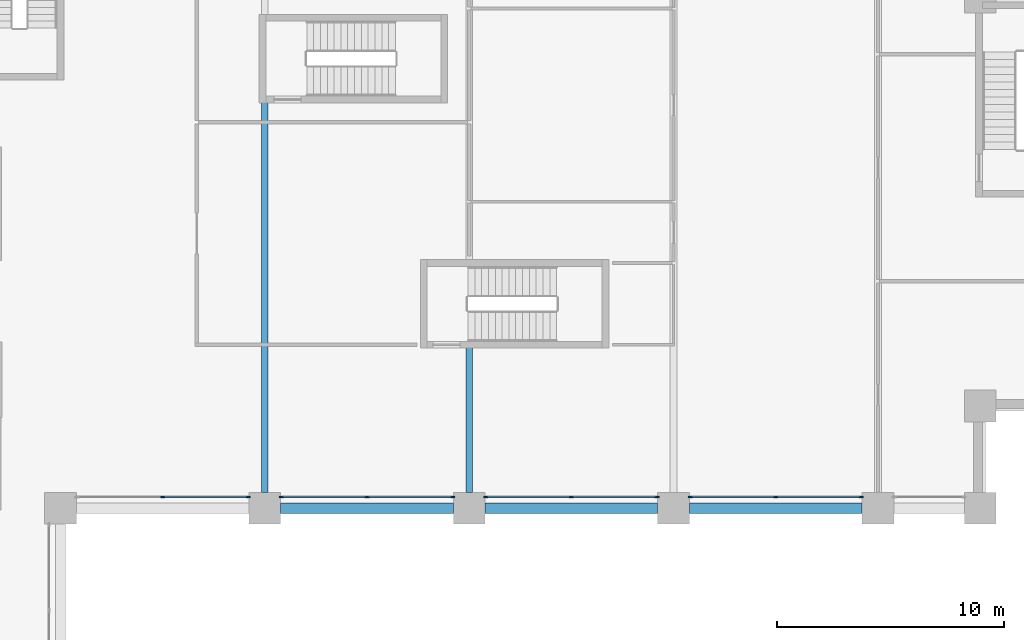
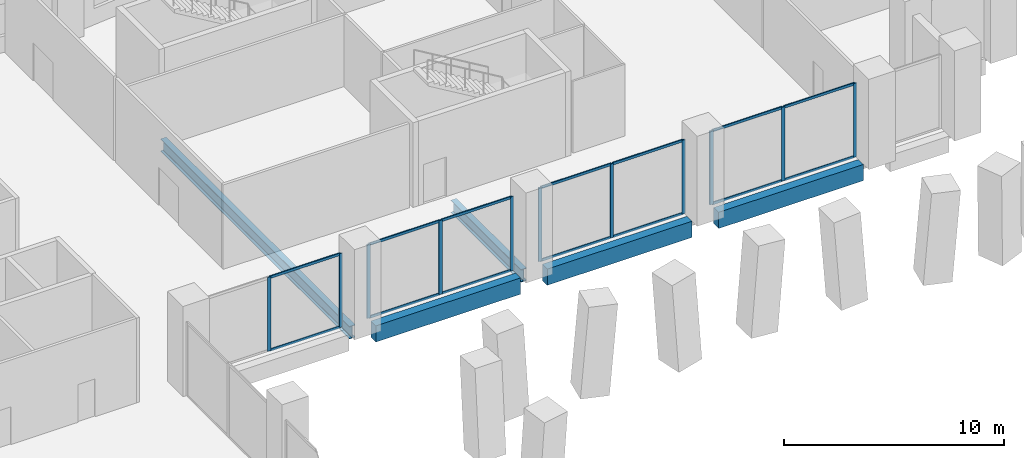
# One storey, part 6 of 17: 25 members, 5 beams, 4 elements without a shape of their own.
"""IFC4 building model written with IfcOpenShell, lengths in metres."""

from ifc_helpers import new_model, si_unit, direction, frame, origin, origin_2d, place, context, subcontext, project, spatial, rectangle, i_section, extrude, material, material_profile, profile_set, type_object, element, aggregate, save


model = new_model("IFC4")

# Units and contexts
model_context = context("Model", 3, precision=1e-05, world=origin(), true_north=direction((0.0, 1.0)))
body_context = subcontext(model_context, "Body", "Model", "MODEL_VIEW")
ifc_project = project(units=[si_unit("LENGTHUNIT", "METRE"), si_unit("AREAUNIT", "SQUARE_METRE"), si_unit("VOLUMEUNIT", "CUBIC_METRE"), si_unit("PLANEANGLEUNIT", "RADIAN"), si_unit("MASSUNIT", "GRAM", prefix="KILO")], contexts=[model_context])

# Site, building, storey
site_placement = place(None, origin())
site = spatial("IfcSite", under=ifc_project, at=site_placement, CompositionType="ELEMENT")
building_placement = place(site_placement, origin())
building = spatial("IfcBuilding", under=site, at=building_placement, Name="Brondeck Convention Tower", CompositionType="ELEMENT")
storey_placement = place(building_placement, frame((0.0, 0.0, 14.5)))
storey = spatial("IfcBuildingStorey", under=building, at=storey_placement, Name="L02", CompositionType="ELEMENT", Elevation=14.5)

# Curtain wall, members
ifc_material_1 = material(Name="Aluminium, bronze anodised", Category="aluminium")
curtain_wall_type = type_object("IfcCurtainWallType", Name="Podium hall curtain wall", PredefinedType="NOTDEFINED", material=ifc_material_1)
curtain_wall_1_placement = place(storey_placement, origin())
curtain_wall_1 = element("IfcCurtainWall", 1, at=curtain_wall_1_placement, inside=storey, type_object=curtain_wall_type, Name="ENV-CW2-L02-A-S-01", PredefinedType="NOTDEFINED")
ifc_material_profile_1 = material_profile(ifc_material_1, rectangle(XDim=0.06005859375, YDim=0.179931640625, at=origin_2d()), Name="CW2 mullion")
ifc_profile_set_1 = profile_set([ifc_material_profile_1], Name="Aluminium, bronze anodised")
member_type_1 = type_object("IfcMemberType", Name="CW2 mullion", PredefinedType="MULLION", material=ifc_profile_set_1)
member_1_placement = place(storey_placement, frame((35.27001953125, 36.5, 0.0), z_axis=(0.0, 0.0, 1.0), x_axis=(0.0, -1.0, 0.0)))
member_1 = element("IfcMember", 2, at=member_1_placement, type_object=member_type_1, Name="CW2 mullion 1", PredefinedType="MULLION", context=body_context, shape_type="SweptSolid", body=[
    extrude(rectangle(XDim=0.06005859375, YDim=0.179931640625, at=origin_2d()), origin(), (0.0, 0.0, 1.0), 4.10009765625),
])
member_2_placement = place(storey_placement, frame((31.5, 36.5, 0.0), z_axis=(0.0, 0.0, 1.0), x_axis=(0.0, -1.0, 0.0)))
member_2 = element("IfcMember", 3, at=member_2_placement, type_object=member_type_1, Name="CW2 mullion 2", PredefinedType="MULLION", context=body_context, shape_type="SweptSolid", body=[
    extrude(rectangle(XDim=0.06005859375, YDim=0.179931640625, at=origin_2d()), origin(), (0.0, 0.0, 1.0), 4.10009765625),
])

curtain_wall_2_placement = place(storey_placement, origin())
curtain_wall_2 = element("IfcCurtainWall", 4, at=curtain_wall_2_placement, inside=storey, type_object=curtain_wall_type, Name="ENV-CW2-L02-A-S-03", PredefinedType="NOTDEFINED")
member_3_placement = place(storey_placement, frame((44.27001953125, 36.5, 0.0), z_axis=(0.0, 0.0, 1.0), x_axis=(0.0, -1.0, 0.0)))
member_3 = element("IfcMember", 5, at=member_3_placement, type_object=member_type_1, Name="CW2 mullion 1", PredefinedType="MULLION", context=body_context, shape_type="SweptSolid", body=[
    extrude(rectangle(XDim=0.06005859375, YDim=0.179931640625, at=origin_2d()), origin(), (0.0, 0.0, 1.0), 4.10009765625),
])
member_4_placement = place(storey_placement, frame((40.5, 36.5, 0.0), z_axis=(0.0, 0.0, 1.0), x_axis=(0.0, -1.0, 0.0)))
member_4 = element("IfcMember", 6, at=member_4_placement, type_object=member_type_1, Name="CW2 mullion 2", PredefinedType="MULLION", context=body_context, shape_type="SweptSolid", body=[
    extrude(rectangle(XDim=0.06005859375, YDim=0.179931640625, at=origin_2d()), origin(), (0.0, 0.0, 1.0), 4.10009765625),
])
member_5_placement = place(storey_placement, frame((36.72998046875, 36.5, 0.0), z_axis=(0.0, 0.0, 1.0), x_axis=(0.0, -1.0, 0.0)))
member_5 = element("IfcMember", 7, at=member_5_placement, type_object=member_type_1, Name="CW2 mullion 3", PredefinedType="MULLION", context=body_context, shape_type="SweptSolid", body=[
    extrude(rectangle(XDim=0.06005859375, YDim=0.179931640625, at=origin_2d()), origin(), (0.0, 0.0, 1.0), 4.10009765625),
])

curtain_wall_3_placement = place(storey_placement, origin())
curtain_wall_3 = element("IfcCurtainWall", 8, at=curtain_wall_3_placement, inside=storey, type_object=curtain_wall_type, Name="ENV-CW2-L02-A-S-05", PredefinedType="NOTDEFINED")
member_6_placement = place(storey_placement, frame((53.27001953125, 36.5, 0.0), z_axis=(0.0, 0.0, 1.0), x_axis=(0.0, -1.0, 0.0)))
member_6 = element("IfcMember", 9, at=member_6_placement, type_object=member_type_1, Name="CW2 mullion 1", PredefinedType="MULLION", context=body_context, shape_type="SweptSolid", body=[
    extrude(rectangle(XDim=0.06005859375, YDim=0.179931640625, at=origin_2d()), origin(), (0.0, 0.0, 1.0), 4.10009765625),
])
member_7_placement = place(storey_placement, frame((49.5, 36.5, 0.0), z_axis=(0.0, 0.0, 1.0), x_axis=(0.0, -1.0, 0.0)))
member_7 = element("IfcMember", 10, at=member_7_placement, type_object=member_type_1, Name="CW2 mullion 2", PredefinedType="MULLION", context=body_context, shape_type="SweptSolid", body=[
    extrude(rectangle(XDim=0.06005859375, YDim=0.179931640625, at=origin_2d()), origin(), (0.0, 0.0, 1.0), 4.10009765625),
])
member_8_placement = place(storey_placement, frame((45.72998046875, 36.5, 0.0), z_axis=(0.0, 0.0, 1.0), x_axis=(0.0, -1.0, 0.0)))
member_8 = element("IfcMember", 11, at=member_8_placement, type_object=member_type_1, Name="CW2 mullion 3", PredefinedType="MULLION", context=body_context, shape_type="SweptSolid", body=[
    extrude(rectangle(XDim=0.06005859375, YDim=0.179931640625, at=origin_2d()), origin(), (0.0, 0.0, 1.0), 4.10009765625),
])

curtain_wall_4_placement = place(storey_placement, origin())
curtain_wall_4 = element("IfcCurtainWall", 12, at=curtain_wall_4_placement, inside=storey, type_object=curtain_wall_type, Name="ENV-CW2-L02-A-S-07", PredefinedType="NOTDEFINED")
member_9_placement = place(storey_placement, frame((62.27001953125, 36.5, 0.0), z_axis=(0.0, 0.0, 1.0), x_axis=(0.0, -1.0, 0.0)))
member_9 = element("IfcMember", 13, at=member_9_placement, type_object=member_type_1, Name="CW2 mullion 1", PredefinedType="MULLION", context=body_context, shape_type="SweptSolid", body=[
    extrude(rectangle(XDim=0.06005859375, YDim=0.179931640625, at=origin_2d()), origin(), (0.0, 0.0, 1.0), 4.10009765625),
])
member_10_placement = place(storey_placement, frame((58.5, 36.5, 0.0), z_axis=(0.0, 0.0, 1.0), x_axis=(0.0, -1.0, 0.0)))
member_10 = element("IfcMember", 14, at=member_10_placement, type_object=member_type_1, Name="CW2 mullion 2", PredefinedType="MULLION", context=body_context, shape_type="SweptSolid", body=[
    extrude(rectangle(XDim=0.06005859375, YDim=0.179931640625, at=origin_2d()), origin(), (0.0, 0.0, 1.0), 4.10009765625),
])
member_11_placement = place(storey_placement, frame((54.72998046875, 36.5, 0.0), z_axis=(0.0, 0.0, 1.0), x_axis=(0.0, -1.0, 0.0)))
member_11 = element("IfcMember", 15, at=member_11_placement, type_object=member_type_1, Name="CW2 mullion 3", PredefinedType="MULLION", context=body_context, shape_type="SweptSolid", body=[
    extrude(rectangle(XDim=0.06005859375, YDim=0.179931640625, at=origin_2d()), origin(), (0.0, 0.0, 1.0), 4.10009765625),
])

# Member
ifc_material_profile_2 = material_profile(ifc_material_1, rectangle(XDim=0.06005859375, YDim=0.139892578125, at=origin_2d()), Name="CW2 transom")
ifc_profile_set_2 = profile_set([ifc_material_profile_2], Name="Aluminium, bronze anodised")
member_type_2 = type_object("IfcMemberType", Name="CW2 transom", PredefinedType="USERDEFINED", material=ifc_profile_set_2)
member_12_placement = place(storey_placement, frame((35.239990234375, 36.5, 0.030029296875), z_axis=(-1.0, 0.0, 0.0), x_axis=(0.0, -1.0, 0.0)))
member_12 = element("IfcMember", 16, at=member_12_placement, type_object=member_type_2, Name="CW2 transom 1.1", ObjectType="TRANSOM", PredefinedType="USERDEFINED", context=body_context, shape_type="SweptSolid", body=[
    extrude(rectangle(XDim=0.06005859375, YDim=0.139892578125, at=origin_2d()), origin(), (0.0, 0.0, 1.0), 3.7099609375),
])

member_13_placement = place(storey_placement, frame((35.239990234375, 36.5, 4.070068359375), z_axis=(-1.0, 0.0, 0.0), x_axis=(0.0, -1.0, 0.0)))
member_13 = element("IfcMember", 17, at=member_13_placement, type_object=member_type_2, Name="CW2 transom 1.2", ObjectType="TRANSOM", PredefinedType="USERDEFINED", context=body_context, shape_type="SweptSolid", body=[
    extrude(rectangle(XDim=0.06005859375, YDim=0.139892578125, at=origin_2d()), origin(), (0.0, 0.0, 1.0), 3.7099609375),
])

aggregate(curtain_wall_1, [member_1, member_2, member_12, member_13])

member_14_placement = place(storey_placement, frame((44.239990234375, 36.5, 0.030029296875), z_axis=(-1.0, 0.0, 0.0), x_axis=(0.0, -1.0, 0.0)))
member_14 = element("IfcMember", 18, at=member_14_placement, type_object=member_type_2, Name="CW2 transom 1.1", ObjectType="TRANSOM", PredefinedType="USERDEFINED", context=body_context, shape_type="SweptSolid", body=[
    extrude(rectangle(XDim=0.06005859375, YDim=0.139892578125, at=origin_2d()), origin(), (0.0, 0.0, 1.0), 3.7099609375),
])

member_15_placement = place(storey_placement, frame((44.239990234375, 36.5, 4.070068359375), z_axis=(-1.0, 0.0, 0.0), x_axis=(0.0, -1.0, 0.0)))
member_15 = element("IfcMember", 19, at=member_15_placement, type_object=member_type_2, Name="CW2 transom 1.2", ObjectType="TRANSOM", PredefinedType="USERDEFINED", context=body_context, shape_type="SweptSolid", body=[
    extrude(rectangle(XDim=0.06005859375, YDim=0.139892578125, at=origin_2d()), origin(), (0.0, 0.0, 1.0), 3.7099609375),
])

member_16_placement = place(storey_placement, frame((40.469970703125, 36.5, 0.030029296875), z_axis=(-1.0, 0.0, 0.0), x_axis=(0.0, -1.0, 0.0)))
member_16 = element("IfcMember", 20, at=member_16_placement, type_object=member_type_2, Name="CW2 transom 2.1", ObjectType="TRANSOM", PredefinedType="USERDEFINED", context=body_context, shape_type="SweptSolid", body=[
    extrude(rectangle(XDim=0.06005859375, YDim=0.139892578125, at=origin_2d()), origin(), (0.0, 0.0, 1.0), 3.7099609375),
])

member_17_placement = place(storey_placement, frame((40.469970703125, 36.5, 4.070068359375), z_axis=(-1.0, 0.0, 0.0), x_axis=(0.0, -1.0, 0.0)))
member_17 = element("IfcMember", 21, at=member_17_placement, type_object=member_type_2, Name="CW2 transom 2.2", ObjectType="TRANSOM", PredefinedType="USERDEFINED", context=body_context, shape_type="SweptSolid", body=[
    extrude(rectangle(XDim=0.06005859375, YDim=0.139892578125, at=origin_2d()), origin(), (0.0, 0.0, 1.0), 3.7099609375),
])

aggregate(curtain_wall_2, [member_3, member_4, member_5, member_14, member_15, member_16, member_17])

member_18_placement = place(storey_placement, frame((53.239990234375, 36.5, 0.030029296875), z_axis=(-1.0, 0.0, 0.0), x_axis=(0.0, -1.0, 0.0)))
member_18 = element("IfcMember", 22, at=member_18_placement, type_object=member_type_2, Name="CW2 transom 1.1", ObjectType="TRANSOM", PredefinedType="USERDEFINED", context=body_context, shape_type="SweptSolid", body=[
    extrude(rectangle(XDim=0.06005859375, YDim=0.139892578125, at=origin_2d()), origin(), (0.0, 0.0, 1.0), 3.7099609375),
])

member_19_placement = place(storey_placement, frame((53.239990234375, 36.5, 4.070068359375), z_axis=(-1.0, 0.0, 0.0), x_axis=(0.0, -1.0, 0.0)))
member_19 = element("IfcMember", 23, at=member_19_placement, type_object=member_type_2, Name="CW2 transom 1.2", ObjectType="TRANSOM", PredefinedType="USERDEFINED", context=body_context, shape_type="SweptSolid", body=[
    extrude(rectangle(XDim=0.06005859375, YDim=0.139892578125, at=origin_2d()), origin(), (0.0, 0.0, 1.0), 3.7099609375),
])

member_20_placement = place(storey_placement, frame((49.469970703125, 36.5, 0.030029296875), z_axis=(-1.0, 0.0, 0.0), x_axis=(0.0, -1.0, 0.0)))
member_20 = element("IfcMember", 24, at=member_20_placement, type_object=member_type_2, Name="CW2 transom 2.1", ObjectType="TRANSOM", PredefinedType="USERDEFINED", context=body_context, shape_type="SweptSolid", body=[
    extrude(rectangle(XDim=0.06005859375, YDim=0.139892578125, at=origin_2d()), origin(), (0.0, 0.0, 1.0), 3.7099609375),
])

member_21_placement = place(storey_placement, frame((49.469970703125, 36.5, 4.070068359375), z_axis=(-1.0, 0.0, 0.0), x_axis=(0.0, -1.0, 0.0)))
member_21 = element("IfcMember", 25, at=member_21_placement, type_object=member_type_2, Name="CW2 transom 2.2", ObjectType="TRANSOM", PredefinedType="USERDEFINED", context=body_context, shape_type="SweptSolid", body=[
    extrude(rectangle(XDim=0.06005859375, YDim=0.139892578125, at=origin_2d()), origin(), (0.0, 0.0, 1.0), 3.7099609375),
])

aggregate(curtain_wall_3, [member_6, member_7, member_8, member_18, member_19, member_20, member_21])

member_22_placement = place(storey_placement, frame((62.239990234375, 36.5, 0.030029296875), z_axis=(-1.0, 0.0, 0.0), x_axis=(0.0, -1.0, 0.0)))
member_22 = element("IfcMember", 26, at=member_22_placement, type_object=member_type_2, Name="CW2 transom 1.1", ObjectType="TRANSOM", PredefinedType="USERDEFINED", context=body_context, shape_type="SweptSolid", body=[
    extrude(rectangle(XDim=0.06005859375, YDim=0.139892578125, at=origin_2d()), origin(), (0.0, 0.0, 1.0), 3.7099609375),
])

member_23_placement = place(storey_placement, frame((62.239990234375, 36.5, 4.070068359375), z_axis=(-1.0, 0.0, 0.0), x_axis=(0.0, -1.0, 0.0)))
member_23 = element("IfcMember", 27, at=member_23_placement, type_object=member_type_2, Name="CW2 transom 1.2", ObjectType="TRANSOM", PredefinedType="USERDEFINED", context=body_context, shape_type="SweptSolid", body=[
    extrude(rectangle(XDim=0.06005859375, YDim=0.139892578125, at=origin_2d()), origin(), (0.0, 0.0, 1.0), 3.7099609375),
])

member_24_placement = place(storey_placement, frame((58.469970703125, 36.5, 0.030029296875), z_axis=(-1.0, 0.0, 0.0), x_axis=(0.0, -1.0, 0.0)))
member_24 = element("IfcMember", 28, at=member_24_placement, type_object=member_type_2, Name="CW2 transom 2.1", ObjectType="TRANSOM", PredefinedType="USERDEFINED", context=body_context, shape_type="SweptSolid", body=[
    extrude(rectangle(XDim=0.06005859375, YDim=0.139892578125, at=origin_2d()), origin(), (0.0, 0.0, 1.0), 3.7099609375),
])

member_25_placement = place(storey_placement, frame((58.469970703125, 36.5, 4.070068359375), z_axis=(-1.0, 0.0, 0.0), x_axis=(0.0, -1.0, 0.0)))
member_25 = element("IfcMember", 29, at=member_25_placement, type_object=member_type_2, Name="CW2 transom 2.2", ObjectType="TRANSOM", PredefinedType="USERDEFINED", context=body_context, shape_type="SweptSolid", body=[
    extrude(rectangle(XDim=0.06005859375, YDim=0.139892578125, at=origin_2d()), origin(), (0.0, 0.0, 1.0), 3.7099609375),
])

aggregate(curtain_wall_4, [member_9, member_10, member_11, member_22, member_23, member_24, member_25])

# Beams
ifc_material_2 = material(Name="Concrete C80/95", Category="concrete")
ifc_material_profile_3 = material_profile(ifc_material_2, rectangle(XDim=0.449951171875, YDim=0.89990234375, at=origin_2d()), Name="Edge beam 450x900 Concrete C80/95")
ifc_profile_set_3 = profile_set([ifc_material_profile_3], Name="Concrete C80/95")
beam_type_1 = type_object("IfcBeamType", Name="Edge beam 450x900 Concrete C80/95", PredefinedType="BEAM", material=ifc_profile_set_3)
for number, where, z_axis, x_axis, name in (
    (30, (36.699951171875, 36.0, -0.449951171875), (1.0, 0.0, 0.0), (0.0, 1.0, 0.0), "STR-SP-L02-010"),
    (31, (45.699951171875, 36.0, -0.449951171875), (1.0, 0.0, 0.0), (0.0, 1.0, 0.0), "STR-SP-L02-011"),
    (32, (54.699951171875, 36.0, -0.449951171875), (1.0, 0.0, 0.0), (0.0, 1.0, 0.0), "STR-SP-L02-012"),
):
    element("IfcBeam", number, at=place(storey_placement, frame(where, z_axis=z_axis, x_axis=x_axis)), inside=storey, type_object=beam_type_1, Name=name, PredefinedType="BEAM", context=body_context, shape_type="SweptSolid", body=[
        extrude(rectangle(XDim=0.449951171875, YDim=0.89990234375, at=origin_2d()), origin(), (0.0, 0.0, 1.0), 7.60009765625),
    ])
ifc_material_3 = material(Name="Steel S355", Category="steel")
ifc_material_profile_4 = material_profile(ifc_material_3, i_section(OverallWidth=0.300048828125, OverallDepth=0.699951171875, WebThickness=0.01708984375, FlangeThickness=0.031982421875, FilletRadius=0.027099609375, at=origin_2d()), Name="HEB 700")
ifc_profile_set_4 = profile_set([ifc_material_profile_4], Name="Steel S355")
beam_type_2 = type_object("IfcBeamType", Name="Girder HEB 700", PredefinedType="BEAM", material=ifc_profile_set_4)
beam_1_placement = place(storey_placement, frame((36.0, 36.699951171875, -0.64990234375), z_axis=(0.0, 1.0, 0.0), x_axis=(-1.0, 0.0, 0.0)))
element("IfcBeam", 33, at=beam_1_placement, inside=storey, type_object=beam_type_2, Name="STR-GR-L02-001", PredefinedType="BEAM", context=body_context, shape_type="SweptSolid", body=[
    extrude(i_section(OverallWidth=0.300048828125, OverallDepth=0.699951171875, WebThickness=0.01708984375, FlangeThickness=0.031982421875, FilletRadius=0.027099609375, at=origin_2d()), origin(), (0.0, 0.0, 1.0), 17.179931640625),
])
beam_2_placement = place(storey_placement, frame((45.0, 36.699951171875, -0.64990234375), z_axis=(0.0, 1.0, 0.0), x_axis=(-1.0, 0.0, 0.0)))
element("IfcBeam", 34, at=beam_2_placement, inside=storey, type_object=beam_type_2, Name="STR-GR-L02-003", PredefinedType="BEAM", context=body_context, shape_type="SweptSolid", body=[
    extrude(i_section(OverallWidth=0.300048828125, OverallDepth=0.699951171875, WebThickness=0.01708984375, FlangeThickness=0.031982421875, FilletRadius=0.027099609375, at=origin_2d()), origin(), (0.0, 0.0, 1.0), 6.380126953125),
])

save(model, "model.ifc")
